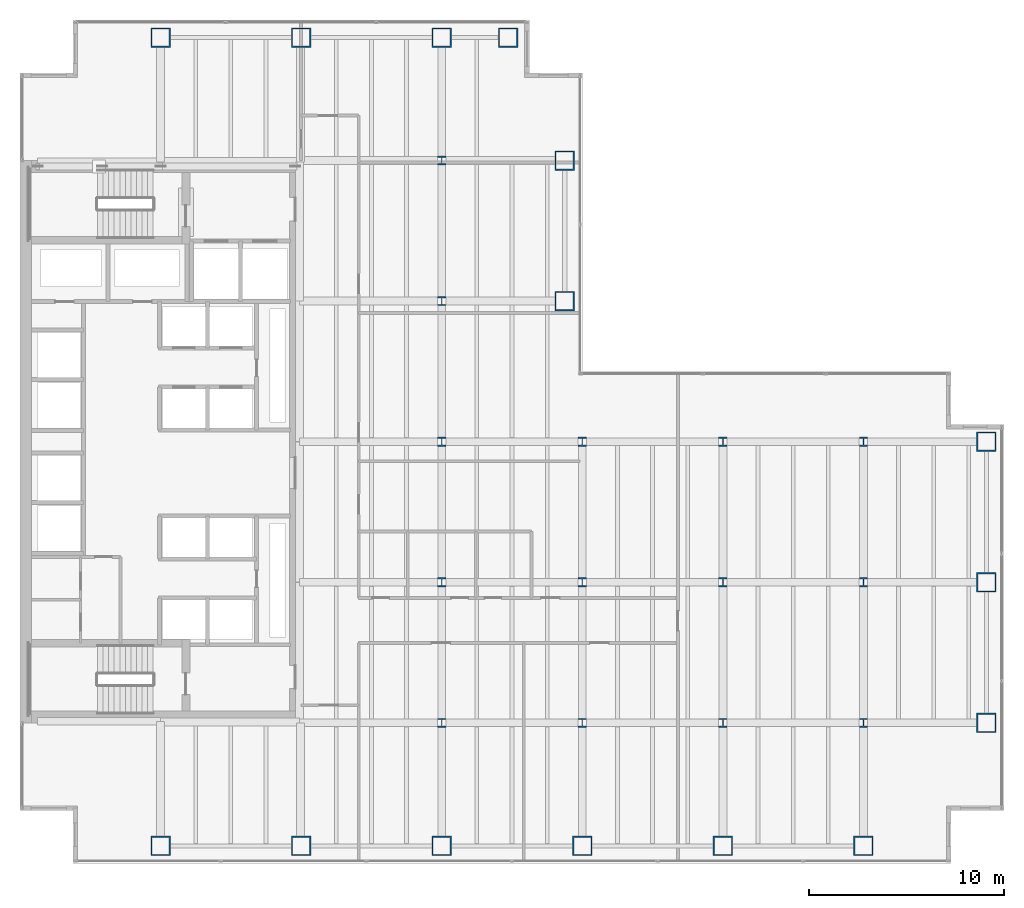
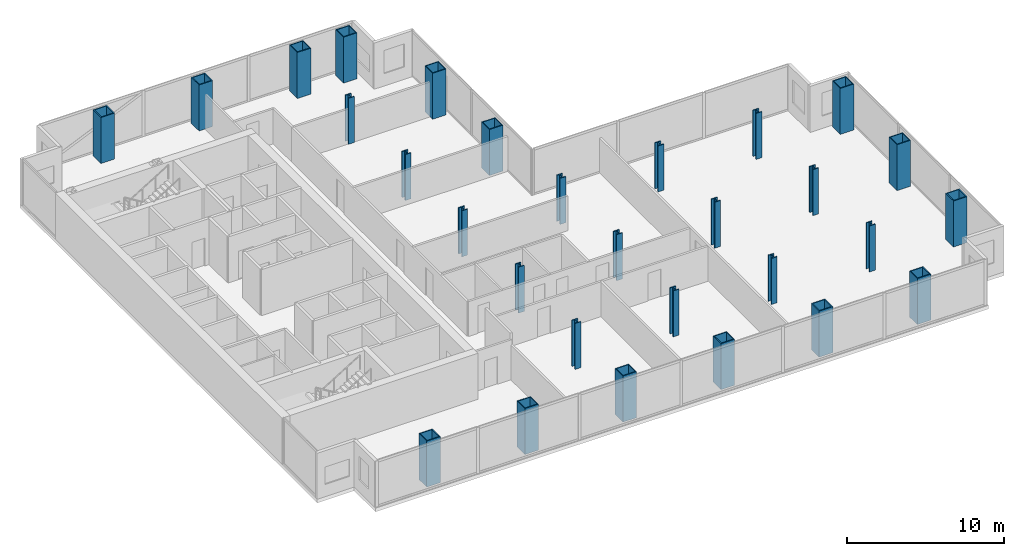
# One storey, part 1 of 23: 29 columns.
"""IFC4 building model written with IfcOpenShell, lengths in metres."""

from ifc_helpers import new_model, si_unit, direction, frame, origin, origin_2d, place, context, subcontext, project, spatial, hollow_rectangle, i_section, extrude, material, material_profile, profile_set, type_object, element, save


model = new_model("IFC4")

# Units and contexts
model_context = context("Model", 3, precision=1e-05, world=origin(), true_north=direction((0.0, 1.0)))
body_context = subcontext(model_context, "Body", "Model", "MODEL_VIEW")
ifc_project = project(units=[si_unit("LENGTHUNIT", "METRE"), si_unit("AREAUNIT", "SQUARE_METRE"), si_unit("VOLUMEUNIT", "CUBIC_METRE"), si_unit("PLANEANGLEUNIT", "RADIAN"), si_unit("MASSUNIT", "GRAM", prefix="KILO")], contexts=[model_context])

# Site, building, storey
site_placement = place(None, origin())
site = spatial("IfcSite", under=ifc_project, at=site_placement, CompositionType="ELEMENT")
building_placement = place(site_placement, origin())
building = spatial("IfcBuilding", under=site, at=building_placement, Name="Cobrela Telecom Tower", CompositionType="ELEMENT")
storey_placement = place(building_placement, frame((0.0, 0.0, 65.800048828125)))
storey = spatial("IfcBuildingStorey", under=building, at=storey_placement, Name="L16", CompositionType="ELEMENT", Elevation=65.800048828125)

# Columns
ifc_material_1 = material(Name="Steel ASTM A992 Grade 50", Category="steel")
ifc_material_profile_1 = material_profile(ifc_material_1, i_section(OverallWidth=0.422119140625, OverallDepth=0.465087890625, WebThickness=0.044921875, FlangeThickness=0.072509765625, FilletRadius=0.01806640625, at=origin_2d()), Name="W14X398")
ifc_profile_set_1 = profile_set([ifc_material_profile_1], Name="Steel ASTM A992 Grade 50")
column_type_1 = type_object("IfcColumnType", Name="COL-INT-04", PredefinedType="COLUMN", material=ifc_profile_set_1)
for number, where, z_axis, x_axis, name in (
    (1, (21.60009765625, 7.199951171875, 0.0), (0.0, 0.0, 1.0), (1.0, 0.0, 0.0), "L16 Interior Column 06"),
    (2, (21.60009765625, 14.39990234375, 0.0), (0.0, 0.0, 1.0), (1.0, 0.0, 0.0), "L16 Interior Column 07"),
    (3, (21.60009765625, 21.60009765625, 0.0), (0.0, 0.0, 1.0), (1.0, 0.0, 0.0), "L16 Interior Column 08"),
    (4, (21.60009765625, 28.800048828125, 0.0), (0.0, 0.0, 1.0), (1.0, 0.0, 0.0), "L16 Interior Column 09"),
    (5, (21.60009765625, 36.0, 0.0), (0.0, 0.0, 1.0), (1.0, 0.0, 0.0), "L16 Interior Column 10"),
    (6, (28.800048828125, 7.199951171875, 0.0), (0.0, 0.0, 1.0), (1.0, 0.0, 0.0), "L16 Interior Column 16"),
    (7, (28.800048828125, 14.39990234375, 0.0), (0.0, 0.0, 1.0), (1.0, 0.0, 0.0), "L16 Interior Column 17"),
    (8, (28.800048828125, 21.60009765625, 0.0), (0.0, 0.0, 1.0), (1.0, 0.0, 0.0), "L16 Interior Column 18"),
    (9, (36.0, 7.199951171875, 0.0), (0.0, 0.0, 1.0), (1.0, 0.0, 0.0), "L16 Interior Column 20"),
    (10, (36.0, 14.39990234375, 0.0), (0.0, 0.0, 1.0), (1.0, 0.0, 0.0), "L16 Interior Column 21"),
    (11, (36.0, 21.60009765625, 0.0), (0.0, 0.0, 1.0), (1.0, 0.0, 0.0), "L16 Interior Column 22"),
    (12, (43.199951171875, 7.199951171875, 0.0), (0.0, 0.0, 1.0), (1.0, 0.0, 0.0), "L16 Interior Column 24"),
    (13, (43.199951171875, 14.39990234375, 0.0), (0.0, 0.0, 1.0), (1.0, 0.0, 0.0), "L16 Interior Column 25"),
    (14, (43.199951171875, 21.60009765625, 0.0), (0.0, 0.0, 1.0), (1.0, 0.0, 0.0), "L16 Interior Column 26"),
):
    element("IfcColumn", number, at=place(storey_placement, frame(where, z_axis=z_axis, x_axis=x_axis)), inside=storey, type_object=column_type_1, Name=name, PredefinedType="COLUMN", context=body_context, shape_type="SweptSolid", body=[
        extrude(i_section(OverallWidth=0.422119140625, OverallDepth=0.465087890625, WebThickness=0.044921875, FlangeThickness=0.072509765625, FilletRadius=0.01806640625, at=origin_2d()), origin(), (0.0, 0.0, 1.0), 3.570068359375),
    ])
ifc_material_2 = material(Name="Steel ASTM A572 Grade 50", Category="steel")
ifc_material_profile_2 = material_profile(ifc_material_2, hollow_rectangle(XDim=1.0, YDim=1.0, WallThickness=0.06494140625, at=origin_2d()), Name="BOX 1000x1000x65")
ifc_profile_set_2 = profile_set([ifc_material_profile_2], Name="Steel ASTM A572 Grade 50")
column_type_2 = type_object("IfcColumnType", Name="COL-MEGA-03", PredefinedType="COLUMN", material=ifc_profile_set_2)
for number, where, z_axis, x_axis, name in (
    (15, (7.199951171875, 0.89990234375, 0.0), (0.0, 0.0, 1.0), (1.0, 0.0, 0.0), "L16 Perimeter Mega-Column 01"),
    (16, (7.199951171875, 42.300048828125, 0.0), (0.0, 0.0, 1.0), (1.0, 0.0, 0.0), "L16 Perimeter Mega-Column 02"),
    (17, (14.39990234375, 0.89990234375, 0.0), (0.0, 0.0, 1.0), (1.0, 0.0, 0.0), "L16 Perimeter Mega-Column 03"),
    (18, (14.39990234375, 42.300048828125, 0.0), (0.0, 0.0, 1.0), (1.0, 0.0, 0.0), "L16 Perimeter Mega-Column 04"),
    (19, (21.60009765625, 0.89990234375, 0.0), (0.0, 0.0, 1.0), (1.0, 0.0, 0.0), "L16 Perimeter Mega-Column 05"),
    (20, (21.60009765625, 42.300048828125, 0.0), (0.0, 0.0, 1.0), (1.0, 0.0, 0.0), "L16 Perimeter Mega-Column 11"),
    (21, (25.0, 42.300048828125, 0.0), (0.0, 0.0, 1.0), (1.0, 0.0, 0.0), "L16 Perimeter Mega-Column 12"),
    (22, (27.89990234375, 28.800048828125, 0.0), (0.0, 0.0, 1.0), (1.0, 0.0, 0.0), "L16 Perimeter Mega-Column 13"),
    (23, (27.89990234375, 36.0, 0.0), (0.0, 0.0, 1.0), (1.0, 0.0, 0.0), "L16 Perimeter Mega-Column 14"),
    (24, (28.800048828125, 0.89990234375, 0.0), (0.0, 0.0, 1.0), (1.0, 0.0, 0.0), "L16 Perimeter Mega-Column 15"),
    (25, (36.0, 0.89990234375, 0.0), (0.0, 0.0, 1.0), (1.0, 0.0, 0.0), "L16 Perimeter Mega-Column 19"),
    (26, (43.199951171875, 0.89990234375, 0.0), (0.0, 0.0, 1.0), (1.0, 0.0, 0.0), "L16 Perimeter Mega-Column 23"),
    (27, (49.5, 7.199951171875, 0.0), (0.0, 0.0, 1.0), (1.0, 0.0, 0.0), "L16 Perimeter Mega-Column 27"),
    (28, (49.5, 14.39990234375, 0.0), (0.0, 0.0, 1.0), (1.0, 0.0, 0.0), "L16 Perimeter Mega-Column 28"),
    (29, (49.5, 21.60009765625, 0.0), (0.0, 0.0, 1.0), (1.0, 0.0, 0.0), "L16 Perimeter Mega-Column 29"),
):
    element("IfcColumn", number, at=place(storey_placement, frame(where, z_axis=z_axis, x_axis=x_axis)), inside=storey, type_object=column_type_2, Name=name, PredefinedType="COLUMN", context=body_context, shape_type="SweptSolid", body=[
        extrude(hollow_rectangle(XDim=1.0, YDim=1.0, WallThickness=0.06494140625, at=origin_2d()), origin(), (0.0, 0.0, 1.0), 3.570068359375),
    ])

save(model, "model.ifc")
